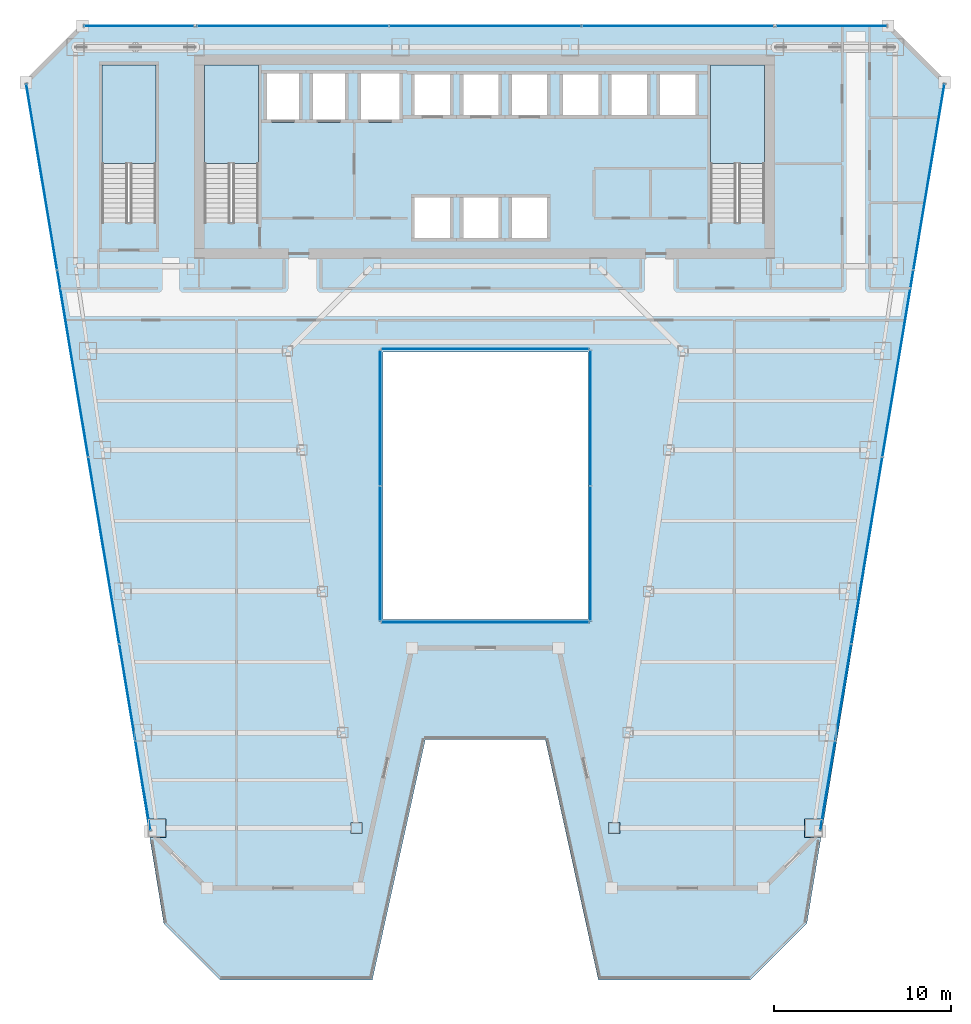
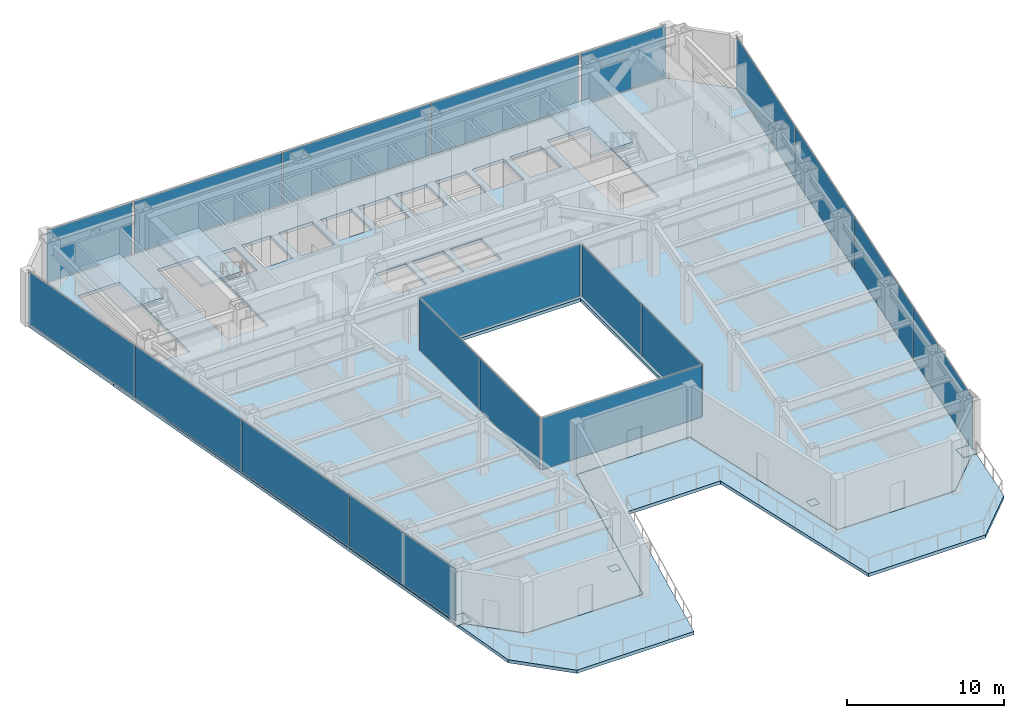
# One storey, part 26 of 35: 23 plates, 5 slabs, 12 elements without a shape of their own.
"""IFC4 building model written with IfcOpenShell, lengths in metres."""

from ifc_helpers import new_model, si_unit, direction, frame, origin, origin_2d, place, context, subcontext, project, spatial, polyline, rectangle, outline, extrude, material, layer, layer_set, type_object, element, aggregate, save


model = new_model("IFC4")

# Units and contexts
model_context = context("Model", 3, precision=1e-05, world=origin(), true_north=direction((0.0, 1.0)))
body_context = subcontext(model_context, "Body", "Model", "MODEL_VIEW")
ifc_project = project(units=[si_unit("LENGTHUNIT", "METRE"), si_unit("AREAUNIT", "SQUARE_METRE"), si_unit("VOLUMEUNIT", "CUBIC_METRE"), si_unit("PLANEANGLEUNIT", "RADIAN"), si_unit("MASSUNIT", "GRAM", prefix="KILO")], contexts=[model_context])

# Site, building, storey
site_placement = place(None, origin())
site = spatial("IfcSite", under=ifc_project, at=site_placement, CompositionType="ELEMENT")
building_placement = place(site_placement, origin())
building = spatial("IfcBuilding", under=site, at=building_placement, Name="Saevonmaru Cultural Tower", CompositionType="ELEMENT")
storey_placement = place(building_placement, frame((0.0, 0.0, 101.60009765625)))
storey = spatial("IfcBuildingStorey", under=building, at=storey_placement, Name="L21", CompositionType="ELEMENT", Elevation=101.60009765625)

# Plates
ifc_material_1 = material(Name="Steel HSA600 (600 MPa)", Category="steel")
ifc_layer_1 = layer(ifc_material_1, 0.0400390625, Name="Steel HSA600 (600 MPa)")
ifc_layer_set_1 = layer_set([ifc_layer_1], Name="Steel HSA600 (600 MPa)")
plate_type_1 = type_object("IfcPlateType", Name="PL-CAP-1000", PredefinedType="USERDEFINED", material=ifc_layer_set_1)
for number, where, z_axis, x_axis, name in (
    (1, (48.592041015625, 10.60009765625, -0.03515625), (0.0, 0.0, 1.0), (1.0, 0.0, 0.0), "Column base cap plate TC-EO-Y106"),
    (2, (11.407958984375, 10.60009765625, -0.03515625), (0.0, 0.0, 1.0), (1.0, 0.0, 0.0), "Column base cap plate TC-WO-Y106"),
):
    element("IfcPlate", number, at=place(storey_placement, frame(where, z_axis=z_axis, x_axis=x_axis)), inside=storey, type_object=plate_type_1, Name=name, ObjectType="CAP_PLATE", PredefinedType="USERDEFINED", context=body_context, shape_type="SweptSolid", body=[
        extrude(rectangle(XDim=1.0400390625, YDim=1.0400390625, at=origin_2d()), origin(), (0.0, 0.0, 1.0), 0.0400390625),
    ])
ifc_layer_2 = layer(ifc_material_1, 0.0400390625, Name="Steel HSA600 (600 MPa)")
ifc_layer_set_2 = layer_set([ifc_layer_2], Name="Steel HSA600 (600 MPa)")
plate_type_2 = type_object("IfcPlateType", Name="PL-CAP-600", PredefinedType="USERDEFINED", material=ifc_layer_set_2)
for number, where, z_axis, x_axis, name in (
    (3, (37.2919921875, 10.60009765625, -0.03515625), (0.0, 0.0, 1.0), (1.0, 0.0, 0.0), "Column base cap plate TC-EI-Y106"),
    (4, (22.7080078125, 10.60009765625, -0.03515625), (0.0, 0.0, 1.0), (1.0, 0.0, 0.0), "Column base cap plate TC-WI-Y106"),
):
    element("IfcPlate", number, at=place(storey_placement, frame(where, z_axis=z_axis, x_axis=x_axis)), inside=storey, type_object=plate_type_2, Name=name, ObjectType="CAP_PLATE", PredefinedType="USERDEFINED", context=body_context, shape_type="SweptSolid", body=[
        extrude(rectangle(XDim=0.639892578125, YDim=0.639892578125, at=origin_2d()), origin(), (0.0, 0.0, 1.0), 0.0400390625),
    ])

# Curtain wall, plate
ifc_material_2 = material(Name="Satin Bronze Anodised Aluminium", Category="aluminium")
curtain_wall_type_1 = type_object("IfcCurtainWallType", Name="CW-ATR-GLZ", PredefinedType="NOTDEFINED", material=ifc_material_2)
curtain_wall_1_placement = place(storey_placement, origin())
curtain_wall_1 = element("IfcCurtainWall", 5, at=curtain_wall_1_placement, inside=storey, type_object=curtain_wall_type_1, Name="L21 Vertical Atrium Glazed Smoke Screen 1", PredefinedType="NOTDEFINED")
ifc_material_3 = material(Name="Fire-Rated Laminated Atrium Glass", Category="glass")
ifc_layer_3 = layer(ifc_material_3, 0.031982421875, Name="Fire-Rated Laminated Atrium Glass")
ifc_layer_set_3 = layer_set([ifc_layer_3], Name="Fire-Rated Laminated Atrium Glass")
plate_type_3 = type_object("IfcPlateType", Name="PN-GLZ-ATR-INT", PredefinedType="CURTAIN_PANEL", material=ifc_layer_set_3)
plate_1_placement = place(storey_placement, frame((30.0, 22.25, 0.06689453125), z_axis=(0.0, 0.0, 1.0), x_axis=(1.0, 0.0, 0.0)))
plate_1 = element("IfcPlate", 6, at=plate_1_placement, type_object=plate_type_3, Name="CW-ATR-L21-1 panel 1.1", PredefinedType="CURTAIN_PANEL", context=body_context, shape_type="SweptSolid", body=[
    extrude(rectangle(XDim=11.7109375, YDim=0.031982421875, at=origin_2d()), origin(), (0.0, 0.0, 1.0), 4.01611328125),
])
aggregate(curtain_wall_1, [plate_1])

# Curtain wall, plates
curtain_wall_2_placement = place(storey_placement, origin())
curtain_wall_2 = element("IfcCurtainWall", 7, at=curtain_wall_2_placement, inside=storey, type_object=curtain_wall_type_1, Name="L21 Vertical Atrium Glazed Smoke Screen 2", PredefinedType="NOTDEFINED")
plate_2_placement = place(storey_placement, frame((35.949951171875, 26.14501953125, 0.06689453125), z_axis=(0.0, 0.0, 1.0), x_axis=(0.0, 1.0, 0.0)))
plate_2 = element("IfcPlate", 8, at=plate_2_placement, type_object=plate_type_3, Name="CW-ATR-L21-2 panel 1.1", PredefinedType="CURTAIN_PANEL", context=body_context, shape_type="SweptSolid", body=[
    extrude(rectangle(XDim=7.60107421875, YDim=0.031982421875, at=origin_2d()), origin(), (0.0, 0.0, 1.0), 4.01611328125),
])
plate_3_placement = place(storey_placement, frame((35.949951171875, 33.81494140625, 0.06689453125), z_axis=(0.0, 0.0, 1.0), x_axis=(0.0, 1.0, 0.0)))
plate_3 = element("IfcPlate", 9, at=plate_3_placement, type_object=plate_type_3, Name="CW-ATR-L21-2 panel 2.1", PredefinedType="CURTAIN_PANEL", context=body_context, shape_type="SweptSolid", body=[
    extrude(rectangle(XDim=7.60107421875, YDim=0.031982421875, at=origin_2d()), origin(), (0.0, 0.0, 1.0), 4.01611328125),
])
aggregate(curtain_wall_2, [plate_2, plate_3])

# Curtain wall, plate
curtain_wall_3_placement = place(storey_placement, origin())
curtain_wall_3 = element("IfcCurtainWall", 10, at=curtain_wall_3_placement, inside=storey, type_object=curtain_wall_type_1, Name="L21 Vertical Atrium Glazed Smoke Screen 3", PredefinedType="NOTDEFINED")
plate_4_placement = place(storey_placement, frame((30.0, 37.7099609375, 0.06689453125), z_axis=(0.0, 0.0, 1.0), x_axis=(-1.0, 0.0, 0.0)))
plate_4 = element("IfcPlate", 11, at=plate_4_placement, type_object=plate_type_3, Name="CW-ATR-L21-3 panel 1.1", PredefinedType="CURTAIN_PANEL", context=body_context, shape_type="SweptSolid", body=[
    extrude(rectangle(XDim=11.7109375, YDim=0.031982421875, at=origin_2d()), origin(), (0.0, 0.0, 1.0), 4.01611328125),
])
aggregate(curtain_wall_3, [plate_4])

# Curtain wall, plates
curtain_wall_4_placement = place(storey_placement, origin())
curtain_wall_4 = element("IfcCurtainWall", 12, at=curtain_wall_4_placement, inside=storey, type_object=curtain_wall_type_1, Name="L21 Vertical Atrium Glazed Smoke Screen 4", PredefinedType="NOTDEFINED")
plate_5_placement = place(storey_placement, frame((24.050048828125, 33.81494140625, 0.06689453125), z_axis=(0.0, 0.0, 1.0), x_axis=(0.0, -1.0, 0.0)))
plate_5 = element("IfcPlate", 13, at=plate_5_placement, type_object=plate_type_3, Name="CW-ATR-L21-4 panel 1.1", PredefinedType="CURTAIN_PANEL", context=body_context, shape_type="SweptSolid", body=[
    extrude(rectangle(XDim=7.60107421875, YDim=0.031982421875, at=origin_2d()), origin(), (0.0, 0.0, 1.0), 4.01611328125),
])
plate_6_placement = place(storey_placement, frame((24.050048828125, 26.14501953125, 0.06689453125), z_axis=(0.0, 0.0, 1.0), x_axis=(0.0, -1.0, 0.0)))
plate_6 = element("IfcPlate", 14, at=plate_6_placement, type_object=plate_type_3, Name="CW-ATR-L21-4 panel 2.1", PredefinedType="CURTAIN_PANEL", context=body_context, shape_type="SweptSolid", body=[
    extrude(rectangle(XDim=7.60107421875, YDim=0.031982421875, at=origin_2d()), origin(), (0.0, 0.0, 1.0), 4.01611328125),
])
aggregate(curtain_wall_4, [plate_5, plate_6])

curtain_wall_type_2 = type_object("IfcCurtainWallType", Name="CW-TYP-A", PredefinedType="NOTDEFINED", material=ifc_material_2)
curtain_wall_5_placement = place(storey_placement, origin())
curtain_wall_5 = element("IfcCurtainWall", 15, at=curtain_wall_5_placement, inside=storey, type_object=curtain_wall_type_2, Name="L21 Unitised Curtain Wall E8", PredefinedType="NOTDEFINED")
ifc_material_4 = material(Name="Triple Silver Low-E Insulating Glass", Category="glass")
ifc_layer_4 = layer(ifc_material_4, 0.035888671875, Name="Triple Silver Low-E Insulating Glass")
ifc_layer_set_4 = layer_set([ifc_layer_4], Name="Triple Silver Low-E Insulating Glass")
plate_type_4 = type_object("IfcPlateType", Name="PN-GLZ-IGU", PredefinedType="CURTAIN_PANEL", material=ifc_layer_set_4)
plate_7_placement = place(storey_placement, frame((49.839599609375, 15.744384765625, 0.06689453125), z_axis=(0.0, 0.0, 1.0), x_axis=(0.163998702345, 0.986460554523, 0.0)))
plate_7 = element("IfcPlate", 16, at=plate_7_placement, type_object=plate_type_4, Name="CW-TW-L21-E8 panel 1.1", PredefinedType="CURTAIN_PANEL", context=body_context, shape_type="SweptSolid", body=[
    extrude(rectangle(XDim=10.646484375, YDim=0.035888671875, at=origin_2d()), origin(), (0.0, 0.0, 1.0), 4.01611328125),
])
plate_8_placement = place(storey_placement, frame((51.596923828125, 26.314697265625, 0.06689453125), z_axis=(0.0, 0.0, 1.0), x_axis=(0.163998702345, 0.986460554523, 0.0)))
plate_8 = element("IfcPlate", 17, at=plate_8_placement, type_object=plate_type_4, Name="CW-TW-L21-E8 panel 2.1", PredefinedType="CURTAIN_PANEL", context=body_context, shape_type="SweptSolid", body=[
    extrude(rectangle(XDim=10.646484375, YDim=0.035888671875, at=origin_2d()), origin(), (0.0, 0.0, 1.0), 4.01611328125),
])
plate_9_placement = place(storey_placement, frame((53.354248046875, 36.88525390625, 0.06689453125), z_axis=(0.0, 0.0, 1.0), x_axis=(0.163998702345, 0.986460554523, 0.0)))
plate_9 = element("IfcPlate", 18, at=plate_9_placement, type_object=plate_type_4, Name="CW-TW-L21-E8 panel 3.1", PredefinedType="CURTAIN_PANEL", context=body_context, shape_type="SweptSolid", body=[
    extrude(rectangle(XDim=10.646484375, YDim=0.035888671875, at=origin_2d()), origin(), (0.0, 0.0, 1.0), 4.01611328125),
])
plate_10_placement = place(storey_placement, frame((55.111572265625, 47.45556640625, 0.06689453125), z_axis=(0.0, 0.0, 1.0), x_axis=(0.163998702345, 0.986460554523, 0.0)))
plate_10 = element("IfcPlate", 19, at=plate_10_placement, type_object=plate_type_4, Name="CW-TW-L21-E8 panel 4.1", PredefinedType="CURTAIN_PANEL", context=body_context, shape_type="SweptSolid", body=[
    extrude(rectangle(XDim=10.646484375, YDim=0.035888671875, at=origin_2d()), origin(), (0.0, 0.0, 1.0), 4.01611328125),
])
aggregate(curtain_wall_5, [plate_7, plate_8, plate_9, plate_10])

curtain_wall_6_placement = place(storey_placement, origin())
curtain_wall_6 = element("IfcCurtainWall", 20, at=curtain_wall_6_placement, inside=storey, type_object=curtain_wall_type_2, Name="L21 North Spine Unitised Curtain Wall E10B", PredefinedType="NOTDEFINED")
plate_11_placement = place(storey_placement, frame((40.893310546875, 56.0, 0.06689453125), z_axis=(0.0, 0.0, 1.0), x_axis=(-1.0, 0.0, 0.0)))
plate_11 = element("IfcPlate", 21, at=plate_11_placement, type_object=plate_type_4, Name="CW-TW-L21-E10B panel 1.1", PredefinedType="CURTAIN_PANEL", context=body_context, shape_type="SweptSolid", body=[
    extrude(rectangle(XDim=10.82421875, YDim=0.035888671875, at=origin_2d()), origin(), (0.0, 0.0, 1.0), 4.01611328125),
])
plate_12_placement = place(storey_placement, frame((30.0, 56.0, 0.06689453125), z_axis=(0.0, 0.0, 1.0), x_axis=(-1.0, 0.0, 0.0)))
plate_12 = element("IfcPlate", 22, at=plate_12_placement, type_object=plate_type_4, Name="CW-TW-L21-E10B panel 2.1", PredefinedType="CURTAIN_PANEL", context=body_context, shape_type="SweptSolid", body=[
    extrude(rectangle(XDim=10.82421875, YDim=0.035888671875, at=origin_2d()), origin(), (0.0, 0.0, 1.0), 4.01611328125),
])
plate_13_placement = place(storey_placement, frame((19.106689453125, 56.0, 0.06689453125), z_axis=(0.0, 0.0, 1.0), x_axis=(-1.0, 0.0, 0.0)))
plate_13 = element("IfcPlate", 23, at=plate_13_placement, type_object=plate_type_4, Name="CW-TW-L21-E10B panel 3.1", PredefinedType="CURTAIN_PANEL", context=body_context, shape_type="SweptSolid", body=[
    extrude(rectangle(XDim=10.82421875, YDim=0.035888671875, at=origin_2d()), origin(), (0.0, 0.0, 1.0), 4.01611328125),
])
aggregate(curtain_wall_6, [plate_11, plate_12, plate_13])

curtain_wall_7_placement = place(storey_placement, origin())
curtain_wall_7 = element("IfcCurtainWall", 24, at=curtain_wall_7_placement, inside=storey, type_object=curtain_wall_type_2, Name="L21 Unitised Curtain Wall E12", PredefinedType="NOTDEFINED")
plate_14_placement = place(storey_placement, frame((4.888427734375, 47.45556640625, 0.06689453125), z_axis=(0.0, 0.0, 1.0), x_axis=(0.163998702345, -0.986460554523, 0.0)))
plate_14 = element("IfcPlate", 25, at=plate_14_placement, type_object=plate_type_4, Name="CW-TW-L21-E12 panel 1.1", PredefinedType="CURTAIN_PANEL", context=body_context, shape_type="SweptSolid", body=[
    extrude(rectangle(XDim=10.646484375, YDim=0.035888671875, at=origin_2d()), origin(), (0.0, 0.0, 1.0), 4.01611328125),
])
plate_15_placement = place(storey_placement, frame((6.645751953125, 36.88525390625, 0.06689453125), z_axis=(0.0, 0.0, 1.0), x_axis=(0.163998702345, -0.986460554523, 0.0)))
plate_15 = element("IfcPlate", 26, at=plate_15_placement, type_object=plate_type_4, Name="CW-TW-L21-E12 panel 2.1", PredefinedType="CURTAIN_PANEL", context=body_context, shape_type="SweptSolid", body=[
    extrude(rectangle(XDim=10.646484375, YDim=0.035888671875, at=origin_2d()), origin(), (0.0, 0.0, 1.0), 4.01611328125),
])
plate_16_placement = place(storey_placement, frame((8.403076171875, 26.314697265625, 0.06689453125), z_axis=(0.0, 0.0, 1.0), x_axis=(0.163998702345, -0.986460554523, 0.0)))
plate_16 = element("IfcPlate", 27, at=plate_16_placement, type_object=plate_type_4, Name="CW-TW-L21-E12 panel 3.1", PredefinedType="CURTAIN_PANEL", context=body_context, shape_type="SweptSolid", body=[
    extrude(rectangle(XDim=10.646484375, YDim=0.035888671875, at=origin_2d()), origin(), (0.0, 0.0, 1.0), 4.01611328125),
])
plate_17_placement = place(storey_placement, frame((10.160400390625, 15.744384765625, 0.06689453125), z_axis=(0.0, 0.0, 1.0), x_axis=(0.163998702345, -0.986460554523, 0.0)))
plate_17 = element("IfcPlate", 28, at=plate_17_placement, type_object=plate_type_4, Name="CW-TW-L21-E12 panel 4.1", PredefinedType="CURTAIN_PANEL", context=body_context, shape_type="SweptSolid", body=[
    extrude(rectangle(XDim=10.646484375, YDim=0.035888671875, at=origin_2d()), origin(), (0.0, 0.0, 1.0), 4.01611328125),
])
aggregate(curtain_wall_7, [plate_14, plate_15, plate_16, plate_17])

# Curtain wall, plate
curtain_wall_8_placement = place(storey_placement, origin())
curtain_wall_8 = element("IfcCurtainWall", 29, at=curtain_wall_8_placement, inside=storey, type_object=curtain_wall_type_2, Name="L21 East Braced Bay Spandrel Curtain Wall E10A", PredefinedType="NOTDEFINED")
ifc_material_5 = material(Name="Insulated Satin Bronze Aluminium Spandrel Panel", Category="aluminium")
ifc_layer_5 = layer(ifc_material_5, 0.0400390625, Name="Insulated Satin Bronze Aluminium Spandrel Panel")
ifc_layer_set_5 = layer_set([ifc_layer_5], Name="Insulated Satin Bronze Aluminium Spandrel Panel")
plate_type_5 = type_object("IfcPlateType", Name="PN-SPANDREL-BRONZE", PredefinedType="CURTAIN_PANEL", material=ifc_layer_set_5)
plate_18_placement = place(storey_placement, frame((49.60009765625, 56.0, 0.06689453125), z_axis=(0.0, 0.0, 1.0), x_axis=(-1.0, 0.0, 0.0)))
plate_18 = element("IfcPlate", 30, at=plate_18_placement, type_object=plate_type_5, Name="CW-TW-L21-E10A panel 1.1", PredefinedType="CURTAIN_PANEL", context=body_context, shape_type="SweptSolid", body=[
    extrude(rectangle(XDim=6.2109375, YDim=0.035888671875, at=origin_2d()), origin(), (0.0, 0.0, 1.0), 4.01611328125),
])
aggregate(curtain_wall_8, [plate_18])

curtain_wall_9_placement = place(storey_placement, origin())
curtain_wall_9 = element("IfcCurtainWall", 31, at=curtain_wall_9_placement, inside=storey, type_object=curtain_wall_type_2, Name="L21 West Braced Bay Spandrel Curtain Wall E10C", PredefinedType="NOTDEFINED")
plate_19_placement = place(storey_placement, frame((10.39990234375, 56.0, 0.06689453125), z_axis=(0.0, 0.0, 1.0), x_axis=(-1.0, 0.0, 0.0)))
plate_19 = element("IfcPlate", 32, at=plate_19_placement, type_object=plate_type_5, Name="CW-TW-L21-E10C panel 1.1", PredefinedType="CURTAIN_PANEL", context=body_context, shape_type="SweptSolid", body=[
    extrude(rectangle(XDim=6.2109375, YDim=0.035888671875, at=origin_2d()), origin(), (0.0, 0.0, 1.0), 4.01611328125),
])
aggregate(curtain_wall_9, [plate_19])

# Slab
ifc_material_6 = material(Name="Concrete C40/50", Category="concrete")
ifc_layer_6 = layer(ifc_material_6, 0.25, Name="Concrete C40/50")
ifc_layer_set_6 = layer_set([ifc_layer_6], Name="Concrete C40/50")
slab_type_1 = type_object("IfcSlabType", Name="SL-FLR-250", PredefinedType="FLOOR", material=ifc_layer_set_6)
slab_1_placement = place(storey_placement, frame((0.0, 0.0, -0.25)))
element("IfcSlab", 33, at=slab_1_placement, inside=storey, type_object=slab_type_1, Name="L21 Tower Structural Floor Slab", PredefinedType="FLOOR", context=body_context, shape_type="SweptSolid", body=[
    extrude(outline(polyline([(11.048828125, 10.39990234375), (14.248779296875, 7.199951171875), (22.848876953125, 7.199951171875), (25.848876953125, 20.800048828125), (34.151123046875, 20.800048828125), (37.151123046875, 7.199951171875), (45.751220703125, 7.199951171875), (48.951171875, 10.39990234375), (56.0, 52.800048828125), (52.800048828125, 56.0), (7.199951171875, 56.0), (4.0, 52.800048828125), (11.048828125, 10.39990234375)]), holes=[polyline([(45.800048828125, 44.875), (42.75, 44.875), (42.75, 53.800048828125), (45.800048828125, 53.800048828125), (45.800048828125, 44.875)]), polyline([(39.75, 50.800048828125), (39.75, 53.39990234375), (42.050048828125, 53.39990234375), (42.050048828125, 50.800048828125), (39.75, 50.800048828125)]), polyline([(37.0, 50.800048828125), (37.0, 53.39990234375), (39.300048828125, 53.39990234375), (39.300048828125, 50.800048828125), (37.0, 50.800048828125)]), polyline([(34.25, 50.800048828125), (34.25, 53.39990234375), (36.550048828125, 53.39990234375), (36.550048828125, 50.800048828125), (34.25, 50.800048828125)]), polyline([(24.199951171875, 22.39990234375), (24.199951171875, 37.56005859375), (35.800048828125, 37.56005859375), (35.800048828125, 22.39990234375), (24.199951171875, 22.39990234375)]), polyline([(31.35009765625, 50.800048828125), (31.35009765625, 53.39990234375), (33.64990234375, 53.39990234375), (33.64990234375, 50.800048828125), (31.35009765625, 50.800048828125)]), polyline([(31.35009765625, 43.85009765625), (31.35009765625, 46.449951171875), (33.64990234375, 46.449951171875), (33.64990234375, 43.85009765625), (31.35009765625, 43.85009765625)]), polyline([(28.60009765625, 43.85009765625), (28.60009765625, 46.449951171875), (30.89990234375, 46.449951171875), (30.89990234375, 43.85009765625), (28.60009765625, 43.85009765625)]), polyline([(28.60009765625, 50.800048828125), (28.60009765625, 53.39990234375), (30.89990234375, 53.39990234375), (30.89990234375, 50.800048828125), (28.60009765625, 50.800048828125)]), polyline([(25.85009765625, 50.800048828125), (25.85009765625, 53.39990234375), (28.14990234375, 53.39990234375), (28.14990234375, 50.800048828125), (25.85009765625, 50.800048828125)]), polyline([(25.85009765625, 43.85009765625), (25.85009765625, 46.449951171875), (28.14990234375, 46.449951171875), (28.14990234375, 43.85009765625), (25.85009765625, 43.85009765625)]), polyline([(22.800048828125, 50.550048828125), (22.800048828125, 53.449951171875), (25.300048828125, 53.449951171875), (25.300048828125, 50.550048828125), (22.800048828125, 50.550048828125)]), polyline([(20.10009765625, 50.550048828125), (20.10009765625, 53.449951171875), (22.199951171875, 53.449951171875), (22.199951171875, 50.550048828125), (20.10009765625, 50.550048828125)]), polyline([(17.5, 50.550048828125), (17.5, 53.449951171875), (19.60009765625, 53.449951171875), (19.60009765625, 50.550048828125), (17.5, 50.550048828125)]), polyline([(17.14990234375, 44.875), (14.10009765625, 44.875), (14.10009765625, 53.800048828125), (17.14990234375, 53.800048828125), (17.14990234375, 44.875)]), polyline([(11.35009765625, 44.875), (8.300048828125, 44.875), (8.300048828125, 53.800048828125), (11.35009765625, 53.800048828125), (11.35009765625, 44.875)])]), origin(), (0.0, 0.0, 1.0), 0.25),
])

# Stair, slab
stair_type = type_object("IfcStairType", Name="STR-DOGLEG-RC", PredefinedType="HALF_TURN_STAIR", material=ifc_material_6)
stair_1_placement = place(storey_placement, origin())
stair_1 = element("IfcStair", 34, at=stair_1_placement, inside=storey, type_object=stair_type, Name="L21 Protected exit stair ST-1", PredefinedType="HALF_TURN_STAIR")
ifc_layer_7 = layer(ifc_material_6, 0.199951171875, Name="Concrete C40/50")
ifc_layer_set_7 = layer_set([ifc_layer_7], Name="Concrete C40/50")
slab_type_2 = type_object("IfcSlabType", Name="SL-STAIR-LANDING", PredefinedType="LANDING", material=ifc_layer_set_7)
slab_2_placement = place(storey_placement, frame((0.0, 0.0, 2.0)))
slab_2 = element("IfcSlab", 35, at=slab_2_placement, type_object=slab_type_2, Name="ST-1-L21 landing 1", PredefinedType="LANDING", context=body_context, shape_type="SweptSolid", body=[
    extrude(outline(polyline([(17.14990234375, 48.2099609375), (17.14990234375, 53.800048828125), (14.10009765625, 53.800048828125), (14.10009765625, 48.2099609375), (17.14990234375, 48.2099609375)])), origin(), (0.0, 0.0, 1.0), 0.199951171875),
])
aggregate(stair_1, [slab_2])

stair_2_placement = place(storey_placement, origin())
stair_2 = element("IfcStair", 36, at=stair_2_placement, inside=storey, type_object=stair_type, Name="L21 Protected exit stair ST-2", PredefinedType="HALF_TURN_STAIR")
slab_3_placement = place(storey_placement, frame((0.0, 0.0, 2.0)))
slab_3 = element("IfcSlab", 37, at=slab_3_placement, type_object=slab_type_2, Name="ST-2-L21 landing 1", PredefinedType="LANDING", context=body_context, shape_type="SweptSolid", body=[
    extrude(outline(polyline([(45.800048828125, 48.2099609375), (45.800048828125, 53.800048828125), (42.75, 53.800048828125), (42.75, 48.2099609375), (45.800048828125, 48.2099609375)])), origin(), (0.0, 0.0, 1.0), 0.199951171875),
])
aggregate(stair_2, [slab_3])

stair_3_placement = place(storey_placement, origin())
stair_3 = element("IfcStair", 38, at=stair_3_placement, inside=storey, type_object=stair_type, Name="L21 Protected exit stair ST-3", PredefinedType="HALF_TURN_STAIR")
slab_4_placement = place(storey_placement, frame((0.0, 0.0, 2.0)))
slab_4 = element("IfcSlab", 39, at=slab_4_placement, type_object=slab_type_2, Name="ST-3-L21 landing 1", PredefinedType="LANDING", context=body_context, shape_type="SweptSolid", body=[
    extrude(outline(polyline([(11.35009765625, 48.2099609375), (11.35009765625, 53.800048828125), (8.300048828125, 53.800048828125), (8.300048828125, 48.2099609375), (11.35009765625, 48.2099609375)])), origin(), (0.0, 0.0, 1.0), 0.199951171875),
])
aggregate(stair_3, [slab_4])

# Slab
ifc_layer_8 = layer(ifc_material_6, 0.25, Name="Concrete C40/50")
ifc_layer_set_8 = layer_set([ifc_layer_8], Name="Concrete C40/50")
slab_type_3 = type_object("IfcSlabType", Name="SL-TERR-250", PredefinedType="FLOOR", material=ifc_layer_set_8)
slab_5_placement = place(storey_placement, frame((0.0, 0.0, -0.25)))
element("IfcSlab", 40, at=slab_5_placement, inside=storey, type_object=slab_type_3, Name="L21 Sawtooth Setback Roof Terrace 1", PredefinedType="FLOOR", context=body_context, shape_type="SweptSolid", body=[
    extrude(outline(polyline([(54.605224609375, 44.288818359375), (48.970703125, 10.396728515625), (48.970458984375, 10.394775390625), (48.9697265625, 10.392578125), (48.968994140625, 10.390869140625), (48.9677734375, 10.38916015625), (48.966552734375, 10.387451171875), (48.965087890625, 10.385986328125), (45.76513671875, 7.185791015625), (45.763916015625, 7.1845703125), (45.76220703125, 7.183349609375), (45.760498046875, 7.182373046875), (45.7587890625, 7.181396484375), (45.7568359375, 7.180908203125), (45.7548828125, 7.180419921875), (45.753173828125, 7.18017578125), (45.751220703125, 7.179931640625), (37.151123046875, 7.179931640625), (37.149169921875, 7.18017578125), (37.147216796875, 7.180419921875), (37.1455078125, 7.180908203125), (37.1435546875, 7.181396484375), (37.141845703125, 7.182373046875), (37.14013671875, 7.183349609375), (37.138671875, 7.184326171875), (37.13720703125, 7.185791015625), (37.1357421875, 7.18701171875), (37.134521484375, 7.188720703125), (37.133544921875, 7.190185546875), (37.1328125, 7.19189453125), (37.132080078125, 7.19384765625), (37.131591796875, 7.19580078125), (34.135009765625, 20.780029296875), (25.864990234375, 20.780029296875), (22.868408203125, 7.19580078125), (22.867919921875, 7.19384765625), (22.8671875, 7.19189453125), (22.866455078125, 7.190185546875), (22.865478515625, 7.188720703125), (22.8642578125, 7.18701171875), (22.86279296875, 7.185791015625), (22.861328125, 7.184326171875), (22.85986328125, 7.183349609375), (22.858154296875, 7.182373046875), (22.8564453125, 7.181396484375), (22.8544921875, 7.180908203125), (22.852783203125, 7.180419921875), (22.850830078125, 7.18017578125), (22.848876953125, 7.179931640625), (14.248779296875, 7.179931640625), (14.246826171875, 7.18017578125), (14.2451171875, 7.180419921875), (14.2431640625, 7.180908203125), (14.2412109375, 7.181396484375), (14.239501953125, 7.182373046875), (14.23779296875, 7.183349609375), (14.236083984375, 7.1845703125), (14.23486328125, 7.185791015625), (11.034912109375, 10.385986328125), (11.033447265625, 10.387451171875), (11.0322265625, 10.38916015625), (11.031005859375, 10.390869140625), (11.0302734375, 10.392578125), (11.029541015625, 10.394775390625), (11.029296875, 10.396728515625), (5.394775390625, 44.288818359375), (11.800048828125, 5.199951171875), (15.0, 2.0), (23.60009765625, 2.0), (26.60009765625, 15.60009765625), (33.39990234375, 15.60009765625), (36.39990234375, 2.0), (45.0, 2.0), (48.199951171875, 5.199951171875), (54.605224609375, 44.288818359375)])), origin(), (0.0, 0.0, 1.0), 0.25),
])

save(model, "model.ifc")
